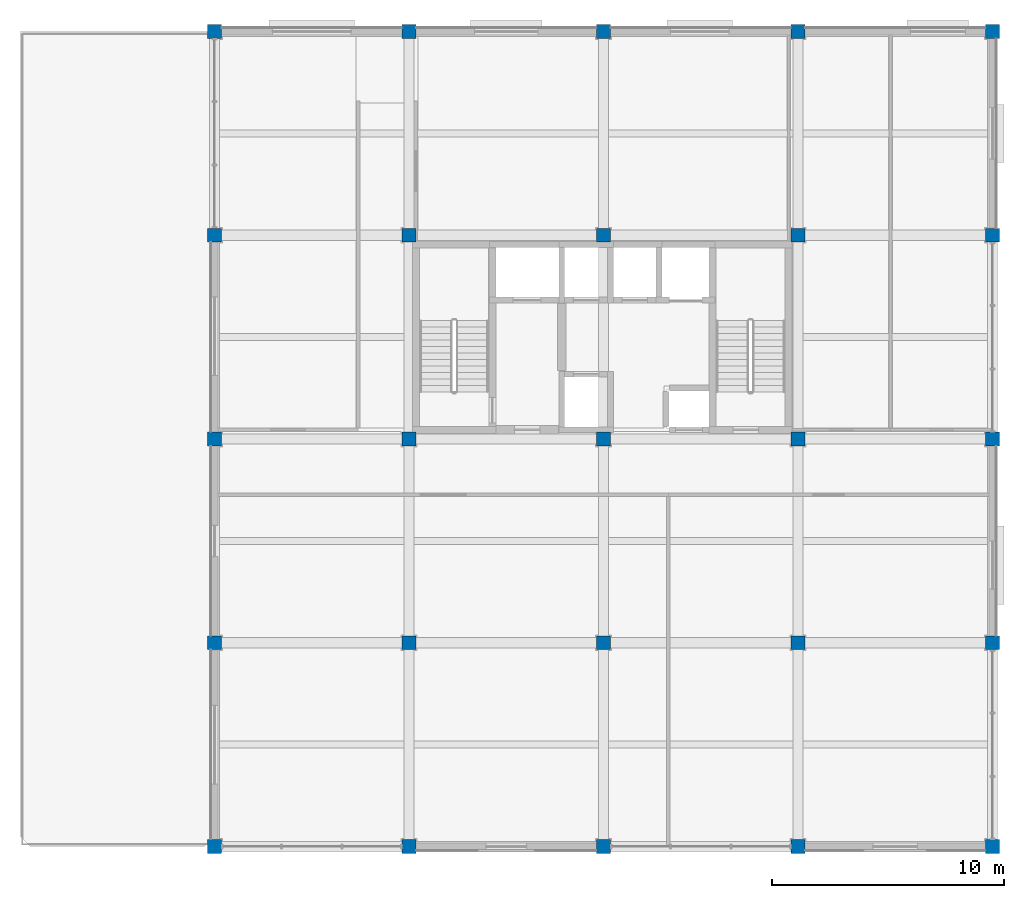
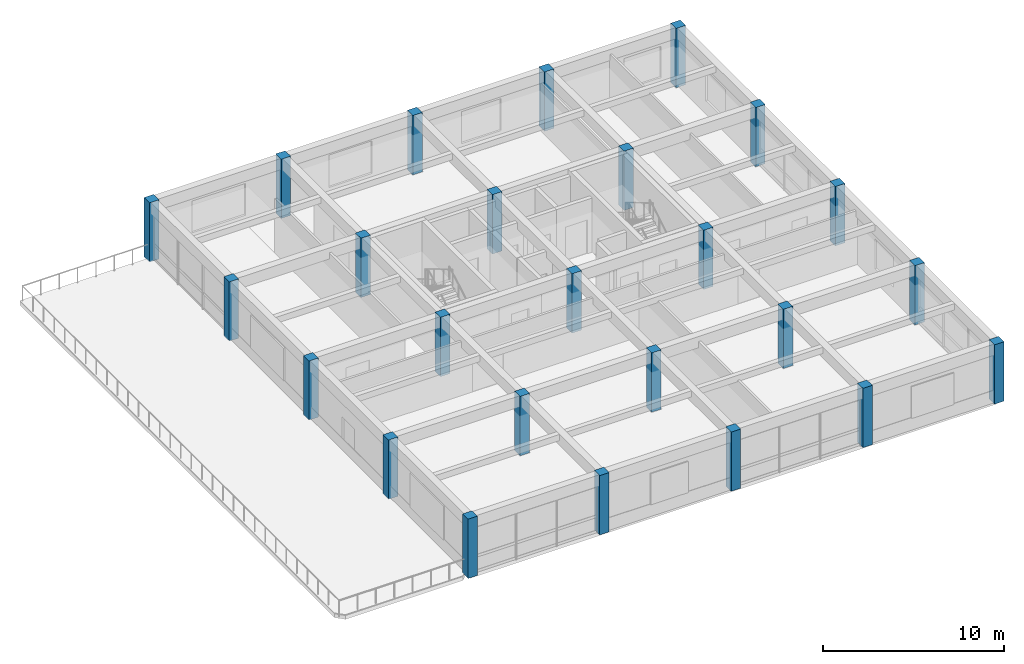
# One storey, part 1 of 10: 25 columns.
"""IFC4 building model written with IfcOpenShell, lengths in metres."""

from ifc_helpers import new_model, si_unit, direction, frame, origin, origin_2d, place, context, subcontext, project, spatial, rectangle, extrude, material, material_profile, profile_set, type_object, element, save


model = new_model("IFC4")

# Units and contexts
model_context = context("Model", 3, precision=1e-05, world=origin(), true_north=direction((0.0, 1.0)))
body_context = subcontext(model_context, "Body", "Model", "MODEL_VIEW")
ifc_project = project(units=[si_unit("LENGTHUNIT", "METRE"), si_unit("AREAUNIT", "SQUARE_METRE"), si_unit("VOLUMEUNIT", "CUBIC_METRE"), si_unit("PLANEANGLEUNIT", "RADIAN"), si_unit("MASSUNIT", "GRAM", prefix="KILO")], contexts=[model_context])

# Site, building, storey
site_placement = place(None, origin())
site = spatial("IfcSite", under=ifc_project, at=site_placement, CompositionType="ELEMENT")
building_placement = place(site_placement, origin())
building = spatial("IfcBuilding", under=site, at=building_placement, Name="Kemercrest Conservatory and Botanical Centre", CompositionType="ELEMENT")
storey_placement = place(building_placement, frame((0.0, 0.0, 48.199951171875)))
storey = spatial("IfcBuildingStorey", under=building, at=storey_placement, Name="L12", CompositionType="ELEMENT", Elevation=48.199951171875)

# Columns
ifc_material = material(Name="Concrete C40/50", Category="concrete")
ifc_material_profile = material_profile(ifc_material, rectangle(XDim=0.60009765625, YDim=0.60009765625, at=origin_2d()), Name="RC 600x600")
ifc_profile_set = profile_set([ifc_material_profile], Name="Concrete C40/50")
column_type = type_object("IfcColumnType", Name="C-RC60", PredefinedType="COLUMN", material=ifc_profile_set)
for number, where, z_axis, x_axis, name in (
    (1, (142.39990234375, 87.199951171875, 0.0), (0.0, 0.0, 1.0), (1.0, 0.0, 0.0), "Tower column C-RC60 17/K"),
    (2, (142.39990234375, 96.0, 0.0), (0.0, 0.0, 1.0), (1.0, 0.0, 0.0), "Tower column C-RC60 17/L"),
    (3, (142.39990234375, 104.800048828125, 0.0), (0.0, 0.0, 1.0), (1.0, 0.0, 0.0), "Tower column C-RC60 17/M"),
    (4, (142.39990234375, 113.60009765625, 0.0), (0.0, 0.0, 1.0), (1.0, 0.0, 0.0), "Tower column C-RC60 17/N"),
    (5, (142.39990234375, 122.39990234375, 0.0), (0.0, 0.0, 1.0), (1.0, 0.0, 0.0), "Tower column C-RC60 17/P"),
    (6, (150.800048828125, 87.199951171875, 0.0), (0.0, 0.0, 1.0), (1.0, 0.0, 0.0), "Tower column C-RC60 18/K"),
    (7, (150.800048828125, 96.0, 0.0), (0.0, 0.0, 1.0), (1.0, 0.0, 0.0), "Tower column C-RC60 18/L"),
    (8, (150.800048828125, 104.800048828125, 0.0), (0.0, 0.0, 1.0), (1.0, 0.0, 0.0), "Tower column C-RC60 18/M"),
    (9, (150.800048828125, 113.60009765625, 0.0), (0.0, 0.0, 1.0), (1.0, 0.0, 0.0), "Tower column C-RC60 18/N"),
    (10, (150.800048828125, 122.39990234375, 0.0), (0.0, 0.0, 1.0), (1.0, 0.0, 0.0), "Tower column C-RC60 18/P"),
    (11, (159.199951171875, 87.199951171875, 0.0), (0.0, 0.0, 1.0), (1.0, 0.0, 0.0), "Tower column C-RC60 19/K"),
    (12, (159.199951171875, 96.0, 0.0), (0.0, 0.0, 1.0), (1.0, 0.0, 0.0), "Tower column C-RC60 19/L"),
    (13, (159.199951171875, 104.800048828125, 0.0), (0.0, 0.0, 1.0), (1.0, 0.0, 0.0), "Tower column C-RC60 19/M"),
    (14, (159.199951171875, 113.60009765625, 0.0), (0.0, 0.0, 1.0), (1.0, 0.0, 0.0), "Tower column C-RC60 19/N"),
    (15, (159.199951171875, 122.39990234375, 0.0), (0.0, 0.0, 1.0), (1.0, 0.0, 0.0), "Tower column C-RC60 19/P"),
    (16, (167.60009765625, 87.199951171875, 0.0), (0.0, 0.0, 1.0), (1.0, 0.0, 0.0), "Tower column C-RC60 20/K"),
    (17, (167.60009765625, 96.0, 0.0), (0.0, 0.0, 1.0), (1.0, 0.0, 0.0), "Tower column C-RC60 20/L"),
    (18, (167.60009765625, 104.800048828125, 0.0), (0.0, 0.0, 1.0), (1.0, 0.0, 0.0), "Tower column C-RC60 20/M"),
    (19, (167.60009765625, 113.60009765625, 0.0), (0.0, 0.0, 1.0), (1.0, 0.0, 0.0), "Tower column C-RC60 20/N"),
    (20, (167.60009765625, 122.39990234375, 0.0), (0.0, 0.0, 1.0), (1.0, 0.0, 0.0), "Tower column C-RC60 20/P"),
    (21, (176.0, 87.199951171875, 0.0), (0.0, 0.0, 1.0), (1.0, 0.0, 0.0), "Tower column C-RC60 21/K"),
    (22, (176.0, 96.0, 0.0), (0.0, 0.0, 1.0), (1.0, 0.0, 0.0), "Tower column C-RC60 21/L"),
    (23, (176.0, 104.800048828125, 0.0), (0.0, 0.0, 1.0), (1.0, 0.0, 0.0), "Tower column C-RC60 21/M"),
    (24, (176.0, 113.60009765625, 0.0), (0.0, 0.0, 1.0), (1.0, 0.0, 0.0), "Tower column C-RC60 21/N"),
    (25, (176.0, 122.39990234375, 0.0), (0.0, 0.0, 1.0), (1.0, 0.0, 0.0), "Tower column C-RC60 21/P"),
):
    element("IfcColumn", number, at=place(storey_placement, frame(where, z_axis=z_axis, x_axis=x_axis)), inside=storey, type_object=column_type, Name=name, PredefinedType="COLUMN", context=body_context, shape_type="SweptSolid", body=[
        extrude(rectangle(XDim=0.60009765625, YDim=0.60009765625, at=origin_2d()), origin(), (0.0, 0.0, 1.0), 4.0),
    ])

save(model, "model.ifc")
